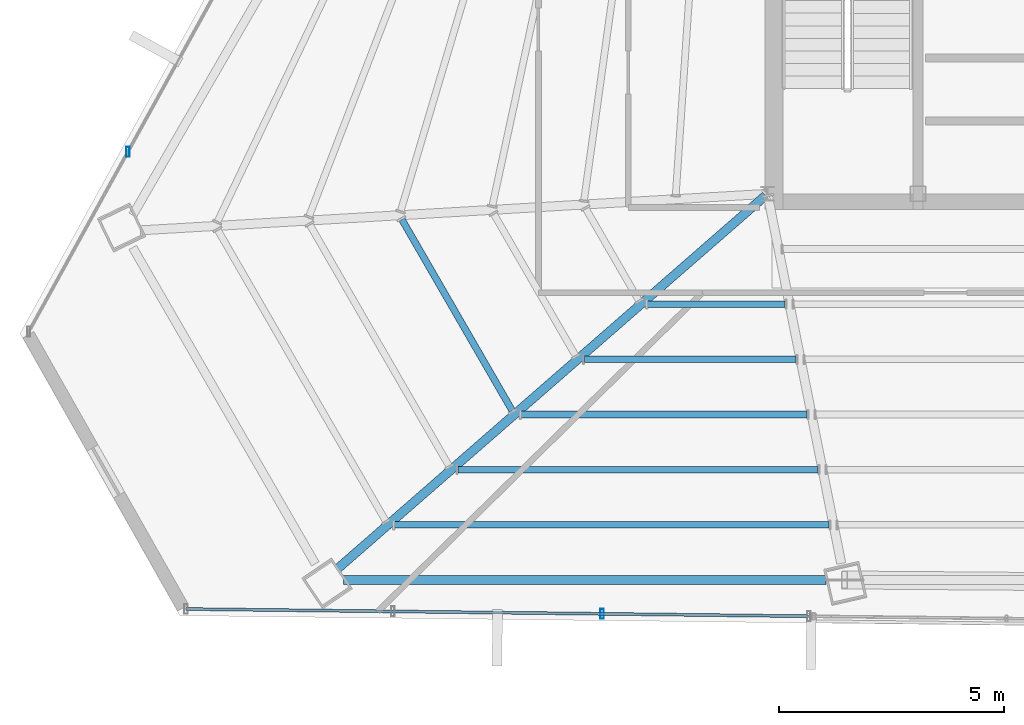
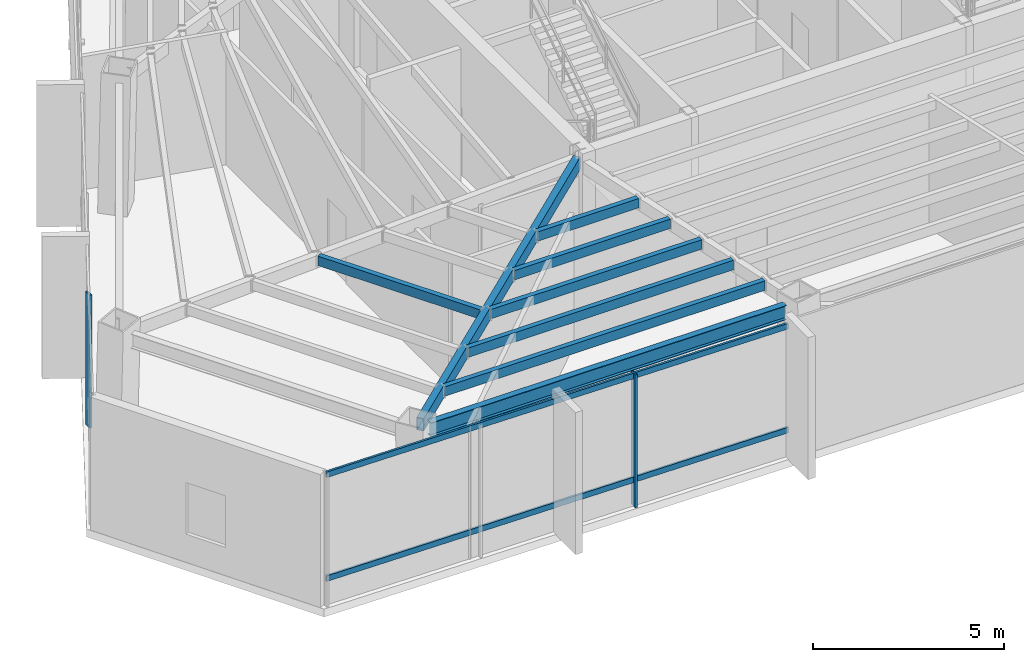
# One storey, part 4 of 37: 8 beams, 4 members, 2 elements without a shape of their own.
"""IFC4 building model written with IfcOpenShell, lengths in metres."""

from ifc_helpers import new_model, si_unit, direction, frame, origin, origin_2d, place, context, subcontext, project, spatial, hollow_rectangle, i_section, extrude, source, transform, mapped, material, material_profile, profile_set, type_object, type_shapes, element, aggregate, save


model = new_model("IFC4")

# Units and contexts
model_context = context("Model", 3, precision=1e-05, world=origin(), true_north=direction((0.0, 1.0)))
body_context = subcontext(model_context, "Body", "Model", "MODEL_VIEW")
ifc_project = project(units=[si_unit("LENGTHUNIT", "METRE"), si_unit("AREAUNIT", "SQUARE_METRE"), si_unit("VOLUMEUNIT", "CUBIC_METRE"), si_unit("PLANEANGLEUNIT", "RADIAN"), si_unit("MASSUNIT", "GRAM", prefix="KILO")], contexts=[model_context])

# Site, building, storey
site_placement = place(None, origin())
site = spatial("IfcSite", under=ifc_project, at=site_placement, CompositionType="ELEMENT")
building_placement = place(site_placement, origin())
building = spatial("IfcBuilding", under=site, at=building_placement, Name="Caelisora Broadcast Tower", CompositionType="ELEMENT")
storey_placement = place(building_placement, frame((0.0, 0.0, 225.35009765625)))
storey = spatial("IfcBuildingStorey", under=building, at=storey_placement, Name="L59", CompositionType="ELEMENT", Elevation=225.35009765625)

# Beams
ifc_material_1 = material(Name="Steel Grade 350 (AS/NZS 3679.1)", Category="steel")
ifc_material_profile_1 = material_profile(ifc_material_1, i_section(OverallWidth=0.19091796875, OverallDepth=0.46044921875, WebThickness=0.010009765625, FlangeThickness=0.01611328125, at=origin_2d()), Name="Steel Grade 350 (AS/NZS 3679.1)")
ifc_profile_set_1 = profile_set([ifc_material_profile_1], Name="Steel Grade 350 (AS/NZS 3679.1)")
beam_type_1 = type_object("IfcBeamType", Name="PG06", PredefinedType="BEAM", material=ifc_profile_set_1)
shared_shape_1 = source(origin(), body_context, "Body", "SweptSolid", [
    extrude(i_section(OverallWidth=0.19091796875, OverallDepth=0.46044921875, WebThickness=0.010009765625, FlangeThickness=0.01611328125, at=origin_2d()), origin(), (0.0, 0.0, 1.0), 10.73876953125),
])
type_shapes(beam_type_1, [shared_shape_1])
beam_1_placement = place(storey_placement, frame((21.059814453125, 8.805908203125, 4.019775390625), z_axis=(1.0, 0.0, 0.0), x_axis=(0.0, 1.0, 0.0)))
element("IfcBeam", 1, at=beam_1_placement, inside=storey, type_object=beam_type_1, Name="L59 beam PG06", PredefinedType="BEAM", context=body_context, shape_type="MappedRepresentation", body=[
    mapped(shared_shape_1, transform((0.0, 0.0, 0.0), scale=1.0)),
])
ifc_material_2 = material(Name="Steel Grade 350 (AS/NZS 1163 C350L0)", Category="steel")
ifc_material_profile_2 = material_profile(ifc_material_2, hollow_rectangle(XDim=0.199951171875, YDim=0.39990234375, WallThickness=0.012451171875, at=origin_2d()), Name="Steel Grade 350 (AS/NZS 1163 C350L0)")
ifc_profile_set_2 = profile_set([ifc_material_profile_2], Name="Steel Grade 350 (AS/NZS 1163 C350L0)")
beam_type_2 = type_object("IfcBeamType", Name="PG07", PredefinedType="BEAM", material=ifc_profile_set_2)
shared_shape_2 = source(origin(), body_context, "Body", "SweptSolid", [
    extrude(hollow_rectangle(XDim=0.199951171875, YDim=0.39990234375, WallThickness=0.012451171875, at=origin_2d()), origin(), (0.0, 0.0, 1.0), 12.64111328125),
])
type_shapes(beam_type_2, [shared_shape_2])
beam_2_placement = place(storey_placement, frame((30.454833984375, 17.360595703125, 4.0498046875), z_axis=(-0.753721706413, -0.657193722796, 0.0), x_axis=(0.657193722796, -0.753721706413, 0.0)))
element("IfcBeam", 2, at=beam_2_placement, inside=storey, type_object=beam_type_2, Name="L59 beam PG07", PredefinedType="BEAM", context=body_context, shape_type="MappedRepresentation", body=[
    mapped(shared_shape_2, transform((0.0, 0.0, 0.0), scale=1.0)),
])
ifc_material_profile_3 = material_profile(ifc_material_2, hollow_rectangle(XDim=0.14990234375, YDim=0.300048828125, WallThickness=0.010009765625, at=origin_2d()), Name="Steel Grade 350 (AS/NZS 1163 C350L0)")
ifc_profile_set_3 = profile_set([ifc_material_profile_3], Name="Steel Grade 350 (AS/NZS 1163 C350L0)")
beam_type_3 = type_object("IfcBeamType", Name="SB05", PredefinedType="JOIST", material=ifc_profile_set_3)
shared_shape_3 = source(origin(), body_context, "Body", "SweptSolid", [
    extrude(hollow_rectangle(XDim=0.14990234375, YDim=0.300048828125, WallThickness=0.010009765625, at=origin_2d()), origin(), (0.0, 0.0, 1.0), 4.912353515625),
])
beam_3_placement = place(storey_placement, frame((22.3623046875, 16.8291015625, 4.099853515625), z_axis=(0.499966237329, -0.866044895794, 0.0), x_axis=(0.866044895794, 0.499966237329, 0.0)))
element("IfcBeam", 3, at=beam_3_placement, inside=storey, type_object=beam_type_3, Name="L59 beam SB05", PredefinedType="JOIST", context=body_context, shape_type="MappedRepresentation", body=[
    mapped(shared_shape_3, transform((0.0, 0.0, 0.0), scale=1.0)),
])
shared_shape_4 = source(origin(), body_context, "Body", "SweptSolid", [
    extrude(hollow_rectangle(XDim=0.14990234375, YDim=0.300048828125, WallThickness=0.010009765625, at=origin_2d()), origin(), (0.0, 0.0, 1.0), 3.057861328125),
])
beam_4_placement = place(storey_placement, frame((27.8330078125, 14.944580078125, 4.099853515625), z_axis=(1.0, 0.0, 0.0), x_axis=(0.0, 1.0, 0.0)))
element("IfcBeam", 4, at=beam_4_placement, inside=storey, type_object=beam_type_3, Name="L59 beam SB05", PredefinedType="JOIST", context=body_context, shape_type="MappedRepresentation", body=[
    mapped(shared_shape_4, transform((0.0, 0.0, 0.0), scale=1.0)),
])
shared_shape_5 = source(origin(), body_context, "Body", "SweptSolid", [
    extrude(hollow_rectangle(XDim=0.14990234375, YDim=0.300048828125, WallThickness=0.010009765625, at=origin_2d()), origin(), (0.0, 0.0, 1.0), 4.710693359375),
])
beam_5_placement = place(storey_placement, frame((26.425048828125, 13.716796875, 4.099853515625), z_axis=(1.0, 0.0, 0.0), x_axis=(0.0, 1.0, 0.0)))
element("IfcBeam", 5, at=beam_5_placement, inside=storey, type_object=beam_type_3, Name="L59 beam SB05", PredefinedType="JOIST", context=body_context, shape_type="MappedRepresentation", body=[
    mapped(shared_shape_5, transform((0.0, 0.0, 0.0), scale=1.0)),
])
shared_shape_6 = source(origin(), body_context, "Body", "SweptSolid", [
    extrude(hollow_rectangle(XDim=0.14990234375, YDim=0.300048828125, WallThickness=0.010009765625, at=origin_2d()), origin(), (0.0, 0.0, 1.0), 6.36376953125),
])
beam_6_placement = place(storey_placement, frame((25.01708984375, 12.489013671875, 4.099853515625), z_axis=(1.0, 0.0, 0.0), x_axis=(0.0, 1.0, 0.0)))
element("IfcBeam", 6, at=beam_6_placement, inside=storey, type_object=beam_type_3, Name="L59 beam SB05", PredefinedType="JOIST", context=body_context, shape_type="MappedRepresentation", body=[
    mapped(shared_shape_6, transform((0.0, 0.0, 0.0), scale=1.0)),
])
shared_shape_7 = source(origin(), body_context, "Body", "SweptSolid", [
    extrude(hollow_rectangle(XDim=0.14990234375, YDim=0.300048828125, WallThickness=0.010009765625, at=origin_2d()), origin(), (0.0, 0.0, 1.0), 8.016845703125),
])
beam_7_placement = place(storey_placement, frame((23.60888671875, 11.261474609375, 4.099853515625), z_axis=(1.0, 0.0, 0.0), x_axis=(0.0, 1.0, 0.0)))
element("IfcBeam", 7, at=beam_7_placement, inside=storey, type_object=beam_type_3, Name="L59 beam SB05", PredefinedType="JOIST", context=body_context, shape_type="MappedRepresentation", body=[
    mapped(shared_shape_7, transform((0.0, 0.0, 0.0), scale=1.0)),
])
shared_shape_8 = source(origin(), body_context, "Body", "SweptSolid", [
    extrude(hollow_rectangle(XDim=0.14990234375, YDim=0.300048828125, WallThickness=0.010009765625, at=origin_2d()), origin(), (0.0, 0.0, 1.0), 9.669677734375),
])
type_shapes(beam_type_3, [shared_shape_3, shared_shape_4, shared_shape_5, shared_shape_6, shared_shape_7, shared_shape_8])
beam_8_placement = place(storey_placement, frame((22.200927734375, 10.03369140625, 4.099853515625), z_axis=(1.0, 0.0, 0.0), x_axis=(0.0, 1.0, 0.0)))
element("IfcBeam", 8, at=beam_8_placement, inside=storey, type_object=beam_type_3, Name="L59 beam SB05", PredefinedType="JOIST", context=body_context, shape_type="MappedRepresentation", body=[
    mapped(shared_shape_8, transform((0.0, 0.0, 0.0), scale=1.0)),
])

# Curtain wall, member
ifc_material_3 = material(Name="Unitised Aluminium and Low-E Glass Curtain Wall", Category="glass")
curtain_wall_type = type_object("IfcCurtainWallType", Name="CW-SKY", PredefinedType="NOTDEFINED", material=ifc_material_3)
curtain_wall_1_placement = place(storey_placement, origin())
curtain_wall_1 = element("IfcCurtainWall", 9, at=curtain_wall_1_placement, inside=storey, type_object=curtain_wall_type, Name="L59 curtain wall CW-SKY", PredefinedType="NOTDEFINED")
ifc_material_4 = material(Name="Aluminium 6063-T6 Anodised Terracotta Bronze", Category="aluminium")
ifc_material_profile_4 = material_profile(ifc_material_4, hollow_rectangle(XDim=0.074951171875, YDim=0.219970703125, WallThickness=0.00390625, at=origin_2d()), Name="Aluminium 6063-T6 Anodised Terracotta Bronze")
ifc_profile_set_4 = profile_set([ifc_material_profile_4], Name="Aluminium 6063-T6 Anodised Terracotta Bronze")
member_type_1 = type_object("IfcMemberType", Name="CWM-01", PredefinedType="MULLION", material=ifc_profile_set_4)
shared_shape_9 = source(origin(), body_context, "Body", "SweptSolid", [
    extrude(hollow_rectangle(XDim=0.074951171875, YDim=0.219970703125, WallThickness=0.00390625, at=origin_2d()), origin(), (0.0, 0.0, 1.0), 4.25),
])
type_shapes(member_type_1, [shared_shape_9])
member_1_placement = place(storey_placement, frame((26.816650390625, 8.052001953125, 0.0), z_axis=(0.0, 0.0, 1.0), x_axis=(1.0, 0.0, 0.0)))
member_1 = element("IfcMember", 10, at=member_1_placement, type_object=member_type_1, Name="L59-CW-B07 mullion #1", PredefinedType="MULLION", context=body_context, shape_type="MappedRepresentation", body=[
    mapped(shared_shape_9, transform((0.0, 0.0, 0.0), scale=1.0)),
])

curtain_wall_2_placement = place(storey_placement, origin())
curtain_wall_2 = element("IfcCurtainWall", 11, at=curtain_wall_2_placement, inside=storey, type_object=curtain_wall_type, Name="L59 curtain wall CW-SKY", PredefinedType="NOTDEFINED")
member_2_placement = place(storey_placement, frame((16.263671875, 18.335693359375, 0.0), z_axis=(0.0, 0.0, 1.0), x_axis=(1.0, 0.0, 0.0)))
member_2 = element("IfcMember", 12, at=member_2_placement, type_object=member_type_1, Name="L59-CW-B09 mullion #1", PredefinedType="MULLION", context=body_context, shape_type="MappedRepresentation", body=[
    mapped(shared_shape_9, transform((0.0, 0.0, 0.0), scale=1.0)),
])
aggregate(curtain_wall_2, [member_2])

# Member
ifc_material_profile_5 = material_profile(ifc_material_4, hollow_rectangle(XDim=0.06494140625, YDim=0.179931640625, WallThickness=0.00341796875, at=origin_2d()), Name="Aluminium 6063-T6 Anodised Terracotta Bronze")
ifc_profile_set_5 = profile_set([ifc_material_profile_5], Name="Aluminium 6063-T6 Anodised Terracotta Bronze")
member_type_2 = type_object("IfcMemberType", Name="CWT-01", PredefinedType="USERDEFINED", material=ifc_profile_set_5)
shared_shape_10 = source(origin(), body_context, "Body", "SweptSolid", [
    extrude(hollow_rectangle(XDim=0.06494140625, YDim=0.179931640625, WallThickness=0.00341796875, at=origin_2d()), origin(), (0.0, 0.0, 1.0), 13.865478515625),
])
type_shapes(member_type_2, [shared_shape_10])
member_3_placement = place(storey_placement, frame((31.42138671875, 7.99853515625, 0.849853515625), z_axis=(-0.999932676214, 0.01160357875, 0.0), x_axis=(-0.01160357875, -0.999932676214, 0.0)))
member_3 = element("IfcMember", 13, at=member_3_placement, type_object=member_type_2, Name="L59-CW-B07 transom #1", ObjectType="TRANSOM", PredefinedType="USERDEFINED", context=body_context, shape_type="MappedRepresentation", body=[
    mapped(shared_shape_10, transform((0.0, 0.0, 0.0), scale=1.0)),
])

member_4_placement = place(storey_placement, frame((31.42138671875, 7.99853515625, 4.169921875), z_axis=(-0.999932676214, 0.01160357875, 0.0), x_axis=(-0.01160357875, -0.999932676214, 0.0)))
member_4 = element("IfcMember", 14, at=member_4_placement, type_object=member_type_2, Name="L59-CW-B07 transom #2", ObjectType="TRANSOM", PredefinedType="USERDEFINED", context=body_context, shape_type="MappedRepresentation", body=[
    mapped(shared_shape_10, transform((0.0, 0.0, 0.0), scale=1.0)),
])

aggregate(curtain_wall_1, [member_1, member_3, member_4])

save(model, "model.ifc")
